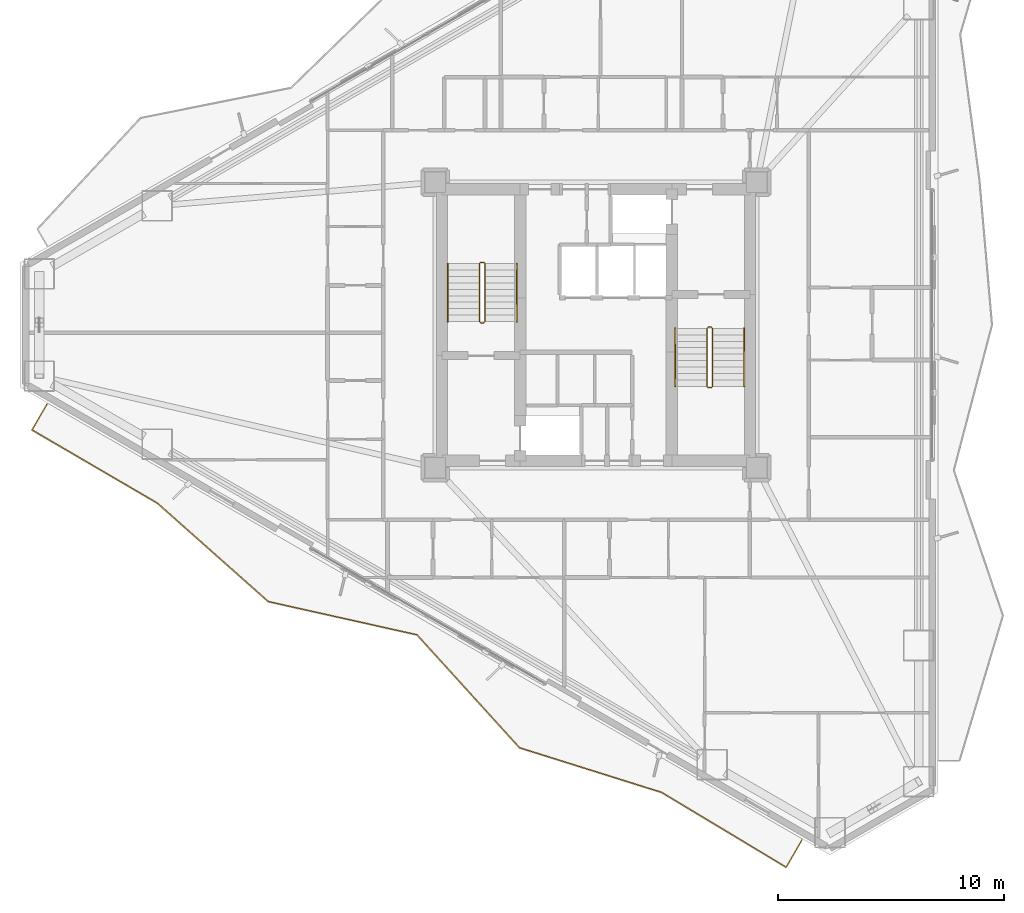
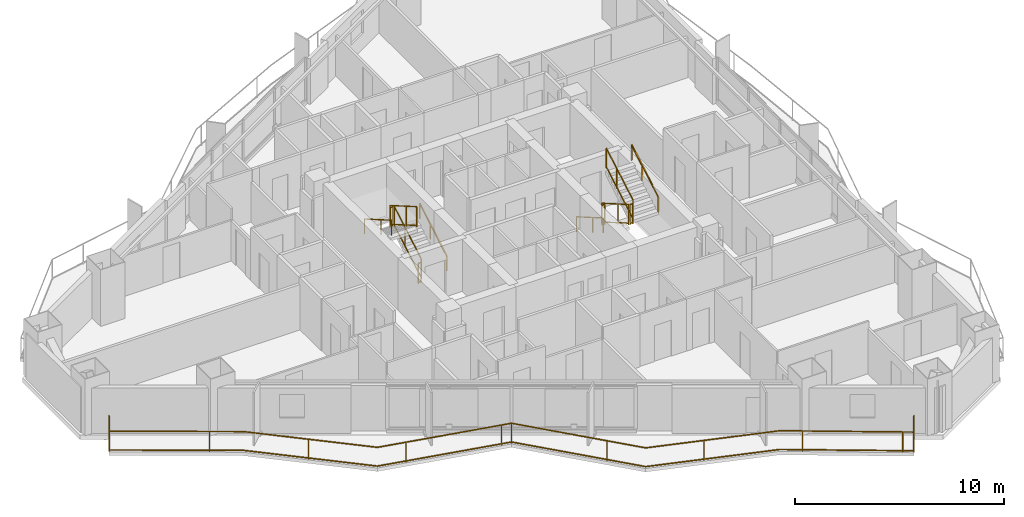
# One storey, part 17 of 18: 13 railings.
"""IFC4 building model written with IfcOpenShell, lengths in metres."""

from ifc_helpers import new_model, si_unit, direction, frame, origin, origin_2d, place, context, subcontext, project, spatial, rectangle, extrude, material, type_object, element, save


model = new_model("IFC4")

# Units and contexts
model_context = context("Model", 3, precision=1e-05, world=origin(), true_north=direction((0.0, 1.0)))
body_context = subcontext(model_context, "Body", "Model", "MODEL_VIEW")
ifc_project = project(units=[si_unit("LENGTHUNIT", "METRE"), si_unit("AREAUNIT", "SQUARE_METRE"), si_unit("VOLUMEUNIT", "CUBIC_METRE"), si_unit("PLANEANGLEUNIT", "RADIAN"), si_unit("MASSUNIT", "GRAM", prefix="KILO")], contexts=[model_context])

# Site, building, storey
site_placement = place(None, origin())
site = spatial("IfcSite", under=ifc_project, at=site_placement, CompositionType="ELEMENT")
building_placement = place(site_placement, origin())
building = spatial("IfcBuilding", under=site, at=building_placement, Name="Mersakhor Tower and Convention Hall", CompositionType="ELEMENT")
storey_placement = place(building_placement, frame((0.0, 0.0, 55.5)))
storey = spatial("IfcBuildingStorey", under=building, at=storey_placement, Name="L15", CompositionType="ELEMENT", Elevation=55.5)

# Railings
ifc_material_1 = material(Name="Powder-coated galvanised steel and laminated glass balustrade", Category="steel")
railing_type_1 = type_object("IfcRailingType", Name="RL-BAL-1200", PredefinedType="BALUSTRADE", material=ifc_material_1)
railing_1_placement = place(storey_placement, frame((4.75048828125, 23.256591796875, 0.0)))
element("IfcRailing", 1, at=railing_1_placement, inside=storey, type_object=railing_type_1, Name="L15 Sinusoidal Balcony Balustrade F3", PredefinedType="BALUSTRADE", context=body_context, shape_type="SweptSolid", body=[
    extrude(rectangle(XDim=0.048095703125, YDim=0.048095703125, at=origin_2d()), frame((0.0, 0.0, 1.17578125), z_axis=(-0.499974327079, -0.866040225545, 0.0), x_axis=(0.866040225545, -0.499974327079, 0.0)), (0.0, 0.0, 1.0), 1.314453125),
    extrude(rectangle(XDim=0.048095703125, YDim=0.048095703125, at=origin_2d()), frame((0.0, 0.0, 0.080078125), z_axis=(-0.499974327079, -0.866040225545, 0.0), x_axis=(0.866040225545, -0.499974327079, 0.0)), (0.0, 0.0, 1.0), 1.314453125),
    extrude(rectangle(XDim=0.048095703125, YDim=0.048095703125, at=origin_2d()), frame((-0.6572265625, -1.138427734375, 1.17578125), z_axis=(0.863593962295, -0.504187929533, 0.0), x_axis=(0.504187929533, 0.863593962295, 0.0)), (0.0, 0.0, 1.0), 6.41796875),
    extrude(rectangle(XDim=0.048095703125, YDim=0.048095703125, at=origin_2d()), frame((-0.6572265625, -1.138427734375, 0.080078125), z_axis=(0.863593962295, -0.504187929533, 0.0), x_axis=(0.504187929533, 0.863593962295, 0.0)), (0.0, 0.0, 1.0), 6.41796875),
    extrude(rectangle(XDim=0.048095703125, YDim=0.048095703125, at=origin_2d()), frame((4.88525390625, -4.374267578125, 1.17578125), z_axis=(0.747960052677, -0.663743745431, 0.0), x_axis=(0.663743745431, 0.747960052677, 0.0)), (0.0, 0.0, 1.0), 6.5517578125),
    extrude(rectangle(XDim=0.048095703125, YDim=0.048095703125, at=origin_2d()), frame((4.88525390625, -4.374267578125, 0.080078125), z_axis=(0.747960052677, -0.663743745431, 0.0), x_axis=(0.663743745431, 0.747960052677, 0.0)), (0.0, 0.0, 1.0), 6.5517578125),
    extrude(rectangle(XDim=0.048095703125, YDim=0.048095703125, at=origin_2d()), frame((9.78564453125, -8.722900390625, 1.17578125), z_axis=(0.975930152254, -0.218083327931, 0.0), x_axis=(0.218083327931, 0.975930152254, 0.0)), (0.0, 0.0, 1.0), 6.725830078125),
    extrude(rectangle(XDim=0.048095703125, YDim=0.048095703125, at=origin_2d()), frame((9.78564453125, -8.722900390625, 0.080078125), z_axis=(0.975930152254, -0.218083327931, 0.0), x_axis=(0.218083327931, 0.975930152254, 0.0)), (0.0, 0.0, 1.0), 6.725830078125),
    extrude(rectangle(XDim=0.048095703125, YDim=0.048095703125, at=origin_2d()), frame((16.349609375, -10.189697265625, 1.17578125), z_axis=(0.672270587685, -0.740305515942, 0.0), x_axis=(0.740305515942, 0.672270587685, 0.0)), (0.0, 0.0, 1.0), 6.739013671875),
    extrude(rectangle(XDim=0.048095703125, YDim=0.048095703125, at=origin_2d()), frame((16.349609375, -10.189697265625, 0.080078125), z_axis=(0.672270587685, -0.740305515942, 0.0), x_axis=(0.740305515942, 0.672270587685, 0.0)), (0.0, 0.0, 1.0), 6.739013671875),
    extrude(rectangle(XDim=0.048095703125, YDim=0.048095703125, at=origin_2d()), frame((20.880126953125, -15.1787109375, 1.17578125), z_axis=(0.954066815556, -0.299593910909, 0.0), x_axis=(0.299593910909, 0.954066815556, 0.0)), (0.0, 0.0, 1.0), 6.575439453125),
    extrude(rectangle(XDim=0.048095703125, YDim=0.048095703125, at=origin_2d()), frame((20.880126953125, -15.1787109375, 0.080078125), z_axis=(0.954066815556, -0.299593910909, 0.0), x_axis=(0.299593910909, 0.954066815556, 0.0)), (0.0, 0.0, 1.0), 6.575439453125),
    extrude(rectangle(XDim=0.048095703125, YDim=0.048095703125, at=origin_2d()), frame((27.153564453125, -17.148681640625, 1.17578125), z_axis=(0.857150423449, -0.515066162334, 0.0), x_axis=(0.515066162334, 0.857150423449, 0.0)), (0.0, 0.0, 1.0), 6.4189453125),
    extrude(rectangle(XDim=0.048095703125, YDim=0.048095703125, at=origin_2d()), frame((27.153564453125, -17.148681640625, 0.080078125), z_axis=(0.857150423449, -0.515066162334, 0.0), x_axis=(0.515066162334, 0.857150423449, 0.0)), (0.0, 0.0, 1.0), 6.4189453125),
    extrude(rectangle(XDim=0.048095703125, YDim=0.048095703125, at=origin_2d()), frame((32.655517578125, -20.454833984375, 1.17578125), z_axis=(0.500133876993, 0.865948096068, 0.0), x_axis=(-0.865948096068, 0.500133876993, 0.0)), (0.0, 0.0, 1.0), 1.38671875),
    extrude(rectangle(XDim=0.048095703125, YDim=0.048095703125, at=origin_2d()), frame((32.655517578125, -20.454833984375, 0.080078125), z_axis=(0.500133876993, 0.865948096068, 0.0), x_axis=(-0.865948096068, 0.500133876993, 0.0)), (0.0, 0.0, 1.0), 1.38671875),
    extrude(rectangle(XDim=0.0419921875, YDim=0.0419921875, at=origin_2d()), origin(), (0.0, 0.0, 1.0), 1.15185546875),
    extrude(rectangle(XDim=0.0419921875, YDim=0.0419921875, at=origin_2d()), frame((-0.6572265625, -1.138427734375, 0.0)), (0.0, 0.0, 1.0), 1.15185546875),
    extrude(rectangle(XDim=0.0419921875, YDim=0.0419921875, at=origin_2d()), frame((3.488037109375, -3.55859375, 0.0)), (0.0, 0.0, 1.0), 1.15185546875),
    extrude(rectangle(XDim=0.0419921875, YDim=0.0419921875, at=origin_2d()), frame((7.265380859375, -6.486328125, 0.0)), (0.0, 0.0, 1.0), 1.15185546875),
    extrude(rectangle(XDim=0.0419921875, YDim=0.0419921875, at=origin_2d()), frame((11.181640625, -9.034912109375, 0.0)), (0.0, 0.0, 1.0), 1.15185546875),
    extrude(rectangle(XDim=0.0419921875, YDim=0.0419921875, at=origin_2d()), frame((15.865966796875, -10.08154296875, 0.0)), (0.0, 0.0, 1.0), 1.15185546875),
    extrude(rectangle(XDim=0.0419921875, YDim=0.0419921875, at=origin_2d()), frame((16.349609375, -10.189697265625, 0.0)), (0.0, 0.0, 1.0), 1.15185546875),
    extrude(rectangle(XDim=0.0419921875, YDim=0.0419921875, at=origin_2d()), frame((19.576416015625, -13.7431640625, 0.0)), (0.0, 0.0, 1.0), 1.15185546875),
    extrude(rectangle(XDim=0.0419921875, YDim=0.0419921875, at=origin_2d()), frame((23.609619140625, -16.035888671875, 0.0)), (0.0, 0.0, 1.0), 1.15185546875),
    extrude(rectangle(XDim=0.0419921875, YDim=0.0419921875, at=origin_2d()), frame((28.083984375, -17.707763671875, 0.0)), (0.0, 0.0, 1.0), 1.15185546875),
    extrude(rectangle(XDim=0.0419921875, YDim=0.0419921875, at=origin_2d()), frame((32.1982421875, -20.179931640625, 0.0)), (0.0, 0.0, 1.0), 1.15185546875),
    extrude(rectangle(XDim=0.0419921875, YDim=0.0419921875, at=origin_2d()), frame((32.655517578125, -20.454833984375, 0.0)), (0.0, 0.0, 1.0), 1.15185546875),
    extrude(rectangle(XDim=0.0419921875, YDim=0.0419921875, at=origin_2d()), frame((33.34912109375, -19.25390625, 0.0)), (0.0, 0.0, 1.0), 1.15185546875),
])
ifc_material_2 = material(Name="Brushed stainless steel handrail", Category="steel")
railing_type_2 = type_object("IfcRailingType", Name="RL-HR-900", PredefinedType="HANDRAIL", material=ifc_material_2)
railing_2_placement = place(storey_placement, frame((25.5, 26.89990234375, 0.1650390625)))
element("IfcRailing", 2, at=railing_2_placement, inside=storey, type_object=railing_type_2, Name="L15 ST-1 stair handrail 1", PredefinedType="HANDRAIL", context=body_context, shape_type="SweptSolid", body=[
    extrude(rectangle(XDim=0.048095703125, YDim=0.048095703125, at=origin_2d()), frame((0.0, 0.0, 0.8759765625), z_axis=(0.0, 0.865461999751, 0.500974577186), x_axis=(-1.0, 0.0, 0.0)), (0.0, 0.0, 1.0), 2.9638671875),
    extrude(rectangle(XDim=0.0419921875, YDim=0.0419921875, at=origin_2d()), origin(), (0.0, 0.0, 1.0), 0.851806640625),
    extrude(rectangle(XDim=0.0419921875, YDim=0.0419921875, at=origin_2d()), frame((0.0, 1.557861328125, 0.90185546875)), (0.0, 0.0, 1.0), 0.851806640625),
    extrude(rectangle(XDim=0.0419921875, YDim=0.0419921875, at=origin_2d()), frame((0.0, 2.565185546875, 1.48486328125)), (0.0, 0.0, 1.0), 0.851806640625),
])
railing_3_placement = place(storey_placement, frame((22.449951171875, 29.465087890625, 1.81494140625)))
element("IfcRailing", 3, at=railing_3_placement, inside=storey, type_object=railing_type_2, Name="L15 ST-1 stair handrail 2", PredefinedType="HANDRAIL", context=body_context, shape_type="SweptSolid", body=[
    extrude(rectangle(XDim=0.048095703125, YDim=0.048095703125, at=origin_2d()), frame((0.0, 0.0, 0.8759765625), z_axis=(0.0, -0.865426285481, 0.501036270542), x_axis=(1.0, 0.0, 0.0)), (0.0, 0.0, 1.0), 2.964111328125),
    extrude(rectangle(XDim=0.0419921875, YDim=0.0419921875, at=origin_2d()), origin(), (0.0, 0.0, 1.0), 0.851806640625),
    extrude(rectangle(XDim=0.0419921875, YDim=0.0419921875, at=origin_2d()), frame((0.0, -1.557861328125, 0.90185546875)), (0.0, 0.0, 1.0), 0.851806640625),
    extrude(rectangle(XDim=0.0419921875, YDim=0.0419921875, at=origin_2d()), frame((0.0, -2.565185546875, 1.485107421875)), (0.0, 0.0, 1.0), 0.851806640625),
])
railing_4_placement = place(storey_placement, frame((32.5, 26.60009765625, 0.1650390625)))
element("IfcRailing", 4, at=railing_4_placement, inside=storey, type_object=railing_type_2, Name="L15 ST-2 stair handrail 1", PredefinedType="HANDRAIL", context=body_context, shape_type="SweptSolid", body=[
    extrude(rectangle(XDim=0.048095703125, YDim=0.048095703125, at=origin_2d()), frame((0.0, 0.0, 0.8759765625), z_axis=(0.0, -0.865461999751, 0.500974577186), x_axis=(1.0, 0.0, 0.0)), (0.0, 0.0, 1.0), 2.9638671875),
    extrude(rectangle(XDim=0.0419921875, YDim=0.0419921875, at=origin_2d()), origin(), (0.0, 0.0, 1.0), 0.851806640625),
    extrude(rectangle(XDim=0.0419921875, YDim=0.0419921875, at=origin_2d()), frame((0.0, -1.557861328125, 0.90185546875)), (0.0, 0.0, 1.0), 0.851806640625),
    extrude(rectangle(XDim=0.0419921875, YDim=0.0419921875, at=origin_2d()), frame((0.0, -2.565185546875, 1.48486328125)), (0.0, 0.0, 1.0), 0.851806640625),
])
railing_5_placement = place(storey_placement, frame((35.550048828125, 24.034912109375, 1.81494140625)))
element("IfcRailing", 5, at=railing_5_placement, inside=storey, type_object=railing_type_2, Name="L15 ST-2 stair handrail 2", PredefinedType="HANDRAIL", context=body_context, shape_type="SweptSolid", body=[
    extrude(rectangle(XDim=0.048095703125, YDim=0.048095703125, at=origin_2d()), frame((0.0, 0.0, 0.8759765625), z_axis=(0.0, 0.865426285481, 0.501036270542), x_axis=(-1.0, 0.0, 0.0)), (0.0, 0.0, 1.0), 2.964111328125),
    extrude(rectangle(XDim=0.0419921875, YDim=0.0419921875, at=origin_2d()), origin(), (0.0, 0.0, 1.0), 0.851806640625),
    extrude(rectangle(XDim=0.0419921875, YDim=0.0419921875, at=origin_2d()), frame((0.0, 1.557861328125, 0.90185546875)), (0.0, 0.0, 1.0), 0.851806640625),
    extrude(rectangle(XDim=0.0419921875, YDim=0.0419921875, at=origin_2d()), frame((0.0, 2.565185546875, 1.485107421875)), (0.0, 0.0, 1.0), 0.851806640625),
])
ifc_material_3 = material(Name="Painted steel stair balustrade S355", Category="steel")
railing_type_3 = type_object("IfcRailingType", Name="RL-STG-1200", PredefinedType="BALUSTRADE", material=ifc_material_3)
railing_6_placement = place(storey_placement, frame((24.10009765625, 26.89990234375, 0.1650390625)))
element("IfcRailing", 6, at=railing_6_placement, inside=storey, type_object=railing_type_3, Name="L15 ST-1 stair guard 1", PredefinedType="BALUSTRADE", context=body_context, shape_type="SweptSolid", body=[
    extrude(rectangle(XDim=0.048095703125, YDim=0.048095703125, at=origin_2d()), frame((0.0, 0.0, 1.17578125), z_axis=(0.0, 0.865461999751, 0.500974577186), x_axis=(-1.0, 0.0, 0.0)), (0.0, 0.0, 1.0), 2.9638671875),
    extrude(rectangle(XDim=0.048095703125, YDim=0.048095703125, at=origin_2d()), frame((0.0, 0.0, 0.080078125), z_axis=(0.0, 0.865461999751, 0.500974577186), x_axis=(-1.0, 0.0, 0.0)), (0.0, 0.0, 1.0), 2.9638671875),
    extrude(rectangle(XDim=0.0419921875, YDim=0.0419921875, at=origin_2d()), origin(), (0.0, 0.0, 1.0), 1.15185546875),
    extrude(rectangle(XDim=0.0419921875, YDim=0.0419921875, at=origin_2d()), frame((0.0, 1.557861328125, 0.90185546875)), (0.0, 0.0, 1.0), 1.15185546875),
    extrude(rectangle(XDim=0.0419921875, YDim=0.0419921875, at=origin_2d()), frame((0.0, 2.565185546875, 1.48486328125)), (0.0, 0.0, 1.0), 1.15185546875),
])
railing_7_placement = place(storey_placement, frame((24.050048828125, 29.514892578125, 1.64990234375)))
element("IfcRailing", 7, at=railing_7_placement, inside=storey, type_object=railing_type_3, Name="L15 ST-1 stair guard 2", PredefinedType="BALUSTRADE", context=body_context, shape_type="SweptSolid", body=[
    extrude(rectangle(XDim=0.048095703125, YDim=0.048095703125, at=origin_2d()), frame((0.0, 0.0, 1.17578125), z_axis=(-1.0, 0.0, 0.0), x_axis=(0.0, -1.0, 0.0)), (0.0, 0.0, 1.0), 0.150146484375),
    extrude(rectangle(XDim=0.048095703125, YDim=0.048095703125, at=origin_2d()), frame((0.0, 0.0, 0.080078125), z_axis=(-1.0, 0.0, 0.0), x_axis=(0.0, -1.0, 0.0)), (0.0, 0.0, 1.0), 0.150146484375),
    extrude(rectangle(XDim=0.0419921875, YDim=0.0419921875, at=origin_2d()), origin(), (0.0, 0.0, 1.0), 1.15185546875),
    extrude(rectangle(XDim=0.0419921875, YDim=0.0419921875, at=origin_2d()), frame((-0.150146484375, 0.0, 0.0)), (0.0, 0.0, 1.0), 1.15185546875),
])
railing_8_placement = place(storey_placement, frame((23.85009765625, 29.465087890625, 1.81494140625)))
element("IfcRailing", 8, at=railing_8_placement, inside=storey, type_object=railing_type_3, Name="L15 ST-1 stair guard 3", PredefinedType="BALUSTRADE", context=body_context, shape_type="SweptSolid", body=[
    extrude(rectangle(XDim=0.048095703125, YDim=0.048095703125, at=origin_2d()), frame((0.0, 0.0, 1.17578125), z_axis=(0.0, -0.865426285481, 0.501036270542), x_axis=(1.0, 0.0, 0.0)), (0.0, 0.0, 1.0), 2.964111328125),
    extrude(rectangle(XDim=0.048095703125, YDim=0.048095703125, at=origin_2d()), frame((0.0, 0.0, 0.080078125), z_axis=(0.0, -0.865426285481, 0.501036270542), x_axis=(1.0, 0.0, 0.0)), (0.0, 0.0, 1.0), 2.964111328125),
    extrude(rectangle(XDim=0.0419921875, YDim=0.0419921875, at=origin_2d()), origin(), (0.0, 0.0, 1.0), 1.15185546875),
    extrude(rectangle(XDim=0.0419921875, YDim=0.0419921875, at=origin_2d()), frame((0.0, -1.557861328125, 0.90185546875)), (0.0, 0.0, 1.0), 1.15185546875),
    extrude(rectangle(XDim=0.0419921875, YDim=0.0419921875, at=origin_2d()), frame((0.0, -2.565185546875, 1.485107421875)), (0.0, 0.0, 1.0), 1.15185546875),
])
railing_9_placement = place(storey_placement, frame((24.050048828125, 26.85009765625, 0.0)))
element("IfcRailing", 9, at=railing_9_placement, inside=storey, type_object=railing_type_3, Name="L15 ST-1 stair guard 4", PredefinedType="BALUSTRADE", context=body_context, shape_type="SweptSolid", body=[
    extrude(rectangle(XDim=0.048095703125, YDim=0.048095703125, at=origin_2d()), frame((0.0, 0.0, 1.17578125), z_axis=(-1.0, 0.0, 0.0), x_axis=(0.0, -1.0, 0.0)), (0.0, 0.0, 1.0), 0.150146484375),
    extrude(rectangle(XDim=0.048095703125, YDim=0.048095703125, at=origin_2d()), frame((0.0, 0.0, 0.080078125), z_axis=(-1.0, 0.0, 0.0), x_axis=(0.0, -1.0, 0.0)), (0.0, 0.0, 1.0), 0.150146484375),
    extrude(rectangle(XDim=0.0419921875, YDim=0.0419921875, at=origin_2d()), origin(), (0.0, 0.0, 1.0), 1.15185546875),
    extrude(rectangle(XDim=0.0419921875, YDim=0.0419921875, at=origin_2d()), frame((-0.150146484375, 0.0, 0.0)), (0.0, 0.0, 1.0), 1.15185546875),
])
railing_10_placement = place(storey_placement, frame((33.89990234375, 26.60009765625, 0.1650390625)))
element("IfcRailing", 10, at=railing_10_placement, inside=storey, type_object=railing_type_3, Name="L15 ST-2 stair guard 1", PredefinedType="BALUSTRADE", context=body_context, shape_type="SweptSolid", body=[
    extrude(rectangle(XDim=0.048095703125, YDim=0.048095703125, at=origin_2d()), frame((0.0, 0.0, 1.17578125), z_axis=(0.0, -0.865461999751, 0.500974577186), x_axis=(1.0, 0.0, 0.0)), (0.0, 0.0, 1.0), 2.9638671875),
    extrude(rectangle(XDim=0.048095703125, YDim=0.048095703125, at=origin_2d()), frame((0.0, 0.0, 0.080078125), z_axis=(0.0, -0.865461999751, 0.500974577186), x_axis=(1.0, 0.0, 0.0)), (0.0, 0.0, 1.0), 2.9638671875),
    extrude(rectangle(XDim=0.0419921875, YDim=0.0419921875, at=origin_2d()), origin(), (0.0, 0.0, 1.0), 1.15185546875),
    extrude(rectangle(XDim=0.0419921875, YDim=0.0419921875, at=origin_2d()), frame((0.0, -1.557861328125, 0.90185546875)), (0.0, 0.0, 1.0), 1.15185546875),
    extrude(rectangle(XDim=0.0419921875, YDim=0.0419921875, at=origin_2d()), frame((0.0, -2.565185546875, 1.48486328125)), (0.0, 0.0, 1.0), 1.15185546875),
])
railing_11_placement = place(storey_placement, frame((33.949951171875, 23.985107421875, 1.64990234375)))
element("IfcRailing", 11, at=railing_11_placement, inside=storey, type_object=railing_type_3, Name="L15 ST-2 stair guard 2", PredefinedType="BALUSTRADE", context=body_context, shape_type="SweptSolid", body=[
    extrude(rectangle(XDim=0.048095703125, YDim=0.048095703125, at=origin_2d()), frame((0.0, 0.0, 1.17578125), z_axis=(1.0, 0.0, 0.0), x_axis=(0.0, 1.0, 0.0)), (0.0, 0.0, 1.0), 0.150146484375),
    extrude(rectangle(XDim=0.048095703125, YDim=0.048095703125, at=origin_2d()), frame((0.0, 0.0, 0.080078125), z_axis=(1.0, 0.0, 0.0), x_axis=(0.0, 1.0, 0.0)), (0.0, 0.0, 1.0), 0.150146484375),
    extrude(rectangle(XDim=0.0419921875, YDim=0.0419921875, at=origin_2d()), origin(), (0.0, 0.0, 1.0), 1.15185546875),
    extrude(rectangle(XDim=0.0419921875, YDim=0.0419921875, at=origin_2d()), frame((0.150146484375, 0.0, 0.0)), (0.0, 0.0, 1.0), 1.15185546875),
])
railing_12_placement = place(storey_placement, frame((34.14990234375, 24.034912109375, 1.81494140625)))
element("IfcRailing", 12, at=railing_12_placement, inside=storey, type_object=railing_type_3, Name="L15 ST-2 stair guard 3", PredefinedType="BALUSTRADE", context=body_context, shape_type="SweptSolid", body=[
    extrude(rectangle(XDim=0.048095703125, YDim=0.048095703125, at=origin_2d()), frame((0.0, 0.0, 1.17578125), z_axis=(0.0, 0.865426285481, 0.501036270542), x_axis=(-1.0, 0.0, 0.0)), (0.0, 0.0, 1.0), 2.964111328125),
    extrude(rectangle(XDim=0.048095703125, YDim=0.048095703125, at=origin_2d()), frame((0.0, 0.0, 0.080078125), z_axis=(0.0, 0.865426285481, 0.501036270542), x_axis=(-1.0, 0.0, 0.0)), (0.0, 0.0, 1.0), 2.964111328125),
    extrude(rectangle(XDim=0.0419921875, YDim=0.0419921875, at=origin_2d()), origin(), (0.0, 0.0, 1.0), 1.15185546875),
    extrude(rectangle(XDim=0.0419921875, YDim=0.0419921875, at=origin_2d()), frame((0.0, 1.557861328125, 0.90185546875)), (0.0, 0.0, 1.0), 1.15185546875),
    extrude(rectangle(XDim=0.0419921875, YDim=0.0419921875, at=origin_2d()), frame((0.0, 2.565185546875, 1.485107421875)), (0.0, 0.0, 1.0), 1.15185546875),
])
railing_13_placement = place(storey_placement, frame((33.949951171875, 26.64990234375, 0.0)))
element("IfcRailing", 13, at=railing_13_placement, inside=storey, type_object=railing_type_3, Name="L15 ST-2 stair guard 4", PredefinedType="BALUSTRADE", context=body_context, shape_type="SweptSolid", body=[
    extrude(rectangle(XDim=0.048095703125, YDim=0.048095703125, at=origin_2d()), frame((0.0, 0.0, 1.17578125), z_axis=(1.0, 0.0, 0.0), x_axis=(0.0, 1.0, 0.0)), (0.0, 0.0, 1.0), 0.150146484375),
    extrude(rectangle(XDim=0.048095703125, YDim=0.048095703125, at=origin_2d()), frame((0.0, 0.0, 0.080078125), z_axis=(1.0, 0.0, 0.0), x_axis=(0.0, 1.0, 0.0)), (0.0, 0.0, 1.0), 0.150146484375),
    extrude(rectangle(XDim=0.0419921875, YDim=0.0419921875, at=origin_2d()), origin(), (0.0, 0.0, 1.0), 1.15185546875),
    extrude(rectangle(XDim=0.0419921875, YDim=0.0419921875, at=origin_2d()), frame((0.150146484375, 0.0, 0.0)), (0.0, 0.0, 1.0), 1.15185546875),
])

save(model, "model.ifc")
